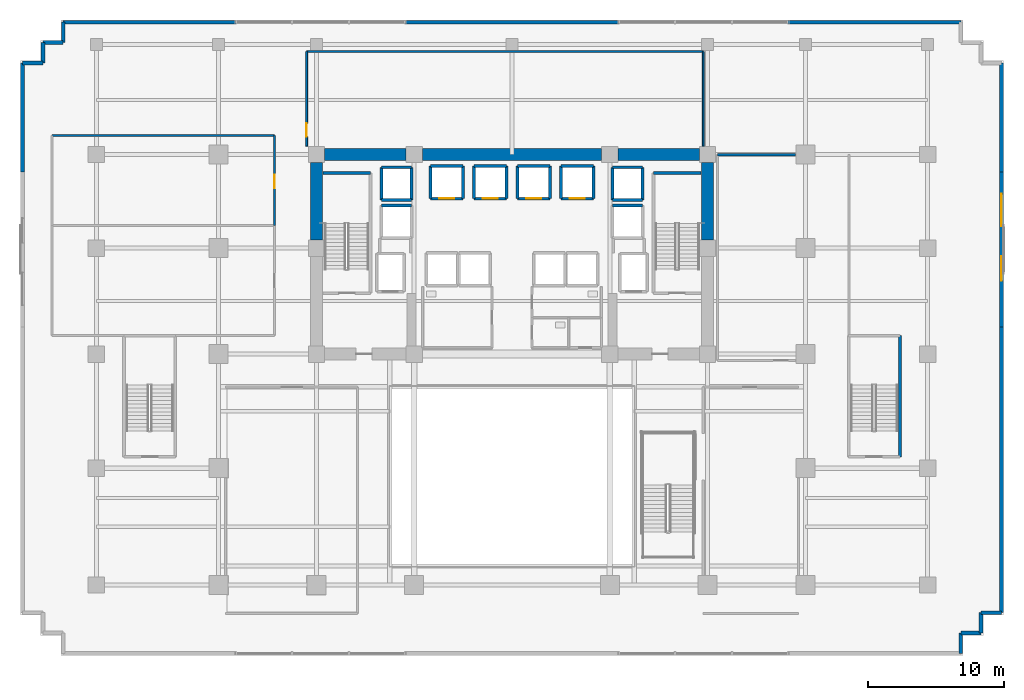
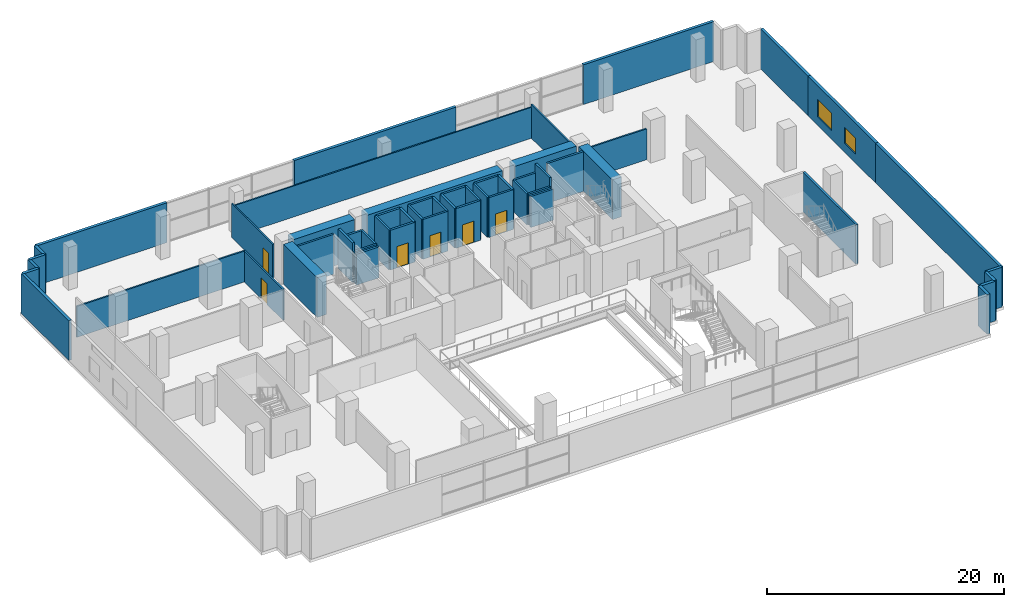
# One storey, part 16 of 21: 55 walls, 6 doors, 2 windows, 8 openings.
"""IFC4 building model written with IfcOpenShell, lengths in metres."""

from ifc_helpers import new_model, si_unit, direction, frame, frame_2d, origin, place, context, subcontext, project, spatial, rectangle, extrude, source, transform, mapped, material, layer, layer_set, type_object, element, fill, save


model = new_model("IFC4")

# Units and contexts
model_context = context("Model", 3, precision=1e-05, world=origin(), true_north=direction((0.0, 1.0)))
body_context = subcontext(model_context, "Body", "Model", "MODEL_VIEW")
ifc_project = project(units=[si_unit("LENGTHUNIT", "METRE"), si_unit("AREAUNIT", "SQUARE_METRE"), si_unit("VOLUMEUNIT", "CUBIC_METRE"), si_unit("PLANEANGLEUNIT", "RADIAN"), si_unit("MASSUNIT", "GRAM", prefix="KILO")], contexts=[model_context])

# Site, building, storey
site_placement = place(None, origin())
site = spatial("IfcSite", under=ifc_project, at=site_placement, CompositionType="ELEMENT")
building_placement = place(site_placement, origin())
building = spatial("IfcBuilding", under=site, at=building_placement, Name="Zarnakvel Exchange Tower", CompositionType="ELEMENT")
storey_placement = place(building_placement, frame((0.0, 0.0, 18.199951171875)))
storey = spatial("IfcBuildingStorey", under=building, at=storey_placement, Name="L04", CompositionType="ELEMENT", Elevation=18.199951171875)

# Walls
ifc_material_1 = material(Name="Concrete C80/95", Category="concrete")
ifc_layer_1 = layer(ifc_material_1, 0.89990234375)
ifc_layer_set_1 = layer_set([ifc_layer_1], Name="Concrete C80/95")
wall_type_1 = type_object("IfcWallType", Name="CW-C1", PredefinedType="SHEAR", material=ifc_layer_set_1)
wall_1_placement = place(storey_placement, frame((-13.800048828125, 13.5, 0.0), z_axis=(0.0, 0.0, 1.0), x_axis=(1.0, 0.0, 0.0)))
element("IfcWall", 1, at=wall_1_placement, inside=storey, type_object=wall_type_1, Name="L04 Rear Core Shear Wall N1 (CW-C1)", PredefinedType="SHEAR", context=body_context, shape_type="SweptSolid", body=[
    extrude(rectangle(XDim=6.0, YDim=0.89990234375, at=frame_2d((3.0, 0.0))), origin(), (0.0, 0.0, 1.0), 4.10009765625),
])
wall_2_placement = place(storey_placement, frame((-6.60009765625, 13.5, 0.0), z_axis=(0.0, 0.0, 1.0), x_axis=(1.0, 0.0, 0.0)))
element("IfcWall", 2, at=wall_2_placement, inside=storey, type_object=wall_type_1, Name="L04 Rear Core Shear Wall N2 (CW-C1)", PredefinedType="SHEAR", context=body_context, shape_type="SweptSolid", body=[
    extrude(rectangle(XDim=13.2001953125, YDim=0.89990234375, at=frame_2d((6.60009765625, 0.0))), origin(), (0.0, 0.0, 1.0), 4.10009765625),
])
wall_3_placement = place(storey_placement, frame((7.800048828125, 13.5, 0.0), z_axis=(0.0, 0.0, 1.0), x_axis=(1.0, 0.0, 0.0)))
element("IfcWall", 3, at=wall_3_placement, inside=storey, type_object=wall_type_1, Name="L04 Rear Core Shear Wall N3 (CW-C1)", PredefinedType="SHEAR", context=body_context, shape_type="SweptSolid", body=[
    extrude(rectangle(XDim=6.0, YDim=0.89990234375, at=frame_2d((3.0, 0.0))), origin(), (0.0, 0.0, 1.0), 4.10009765625),
])
for number, where, z_axis, x_axis, name in (
    (4, (-14.39990234375, 7.199951171875, 0.0), (0.0, 0.0, 1.0), (0.0, 1.0, 0.0), "L04 Rear Core Shear Wall W2 (CW-C1)"),
    (5, (14.39990234375, 7.199951171875, 0.0), (0.0, 0.0, 1.0), (0.0, 1.0, 0.0), "L04 Rear Core Shear Wall E2 (CW-C1)"),
):
    element("IfcWall", number, at=place(storey_placement, frame(where, z_axis=z_axis, x_axis=x_axis)), inside=storey, type_object=wall_type_1, Name=name, PredefinedType="SHEAR", context=body_context, shape_type="SweptSolid", body=[
        extrude(rectangle(XDim=5.699951171875, YDim=0.89990234375, at=frame_2d((2.85009765625, 0.0))), origin(), (0.0, 0.0, 1.0), 4.10009765625),
    ])

# Wall, openings, windows
ifc_material_2 = material(Name="Precast concrete C40/50", Category="concrete")
ifc_layer_2 = layer(ifc_material_2, 0.280029296875)
ifc_layer_set_2 = layer_set([ifc_layer_2], Name="Precast concrete C40/50")
wall_type_2 = type_object("IfcWallType", Name="EW-01", PredefinedType="SOLIDWALL", material=ifc_layer_set_2)
wall_4_placement = place(storey_placement, frame((36.0400390625, 12.199951171875, 0.0), z_axis=(0.0, 0.0, 1.0), x_axis=(0.0, -1.0, 0.0)))
wall_4 = element("IfcWall", 6, at=wall_4_placement, inside=storey, type_object=wall_type_2, Name="L04 Exterior Precast Spandrel Wall EW-L04-EF (EW-01)", PredefinedType="SOLIDWALL", context=body_context, shape_type="SweptSolid", body=[
    extrude(rectangle(XDim=11.39990234375, YDim=0.280029296875, at=frame_2d((5.699951171875, 0.0))), origin(), (0.0, 0.0, 1.0), 4.10009765625),
])
opening_1_placement = place(wall_4_placement, frame((1.60009765625, 0.0, 0.89990234375)))
opening_1 = element("IfcOpeningElement", 7, at=opening_1_placement, cuts=wall_4, Name="Opening WN-01", PredefinedType="OPENING", context=body_context, shape_type="SweptSolid", body=[
    extrude(rectangle(XDim=2.39990234375, YDim=1.800048828125, at=frame_2d((1.199951171875, 0.89990234375))), frame((0.0, 0.14990234375, 0.0), z_axis=(0.0, -1.0, 0.0), x_axis=(1.0, 0.0, 0.0)), (0.0, 0.0, 1.0), 0.300048828125),
])
opening_2_placement = place(wall_4_placement, frame((6.199951171875, 0.0, 0.89990234375)))
opening_2 = element("IfcOpeningElement", 8, at=opening_2_placement, cuts=wall_4, Name="Opening WN-02", PredefinedType="OPENING", context=body_context, shape_type="SweptSolid", body=[
    extrude(rectangle(XDim=1.800048828125, YDim=1.64990234375, at=frame_2d((0.89990234375, 0.824951171875))), frame((0.0, 0.14990234375, 0.0), z_axis=(0.0, -1.0, 0.0), x_axis=(1.0, 0.0, 0.0)), (0.0, 0.0, 1.0), 0.300048828125),
])
ifc_material_3 = material(Name="Double Low-E Laminated Vision Glass", Category="glass")
window_type_1 = type_object("IfcWindowType", Name="WN-01", PartitioningType="SINGLE_PANEL", PredefinedType="WINDOW", material=ifc_material_3)
shared_shape_1 = source(origin(), body_context, "Body", "SweptSolid", [
    extrude(rectangle(XDim=2.39990234375, YDim=1.800048828125, at=frame_2d((1.199951171875, 0.89990234375))), frame((0.0, 0.030029296875, 0.0), z_axis=(0.0, -1.0, 0.0), x_axis=(1.0, 0.0, 0.0)), (0.0, 0.0, 1.0), 0.06005859375),
])
window_1_placement = place(opening_1_placement, origin())
window_1 = element("IfcWindow", 9, at=window_1_placement, inside=storey, type_object=window_type_1, Name="L04 East Flank Window 1", OverallHeight=1.800048828125, OverallWidth=2.39990234375, PartitioningType="SINGLE_PANEL", PredefinedType="WINDOW", context=body_context, shape_type="MappedRepresentation", body=[
    mapped(shared_shape_1, transform((0.0, 0.0, 0.0), x_axis=(1.0, 0.0, 0.0), y_axis=(0.0, 1.0, 0.0), z_axis=(0.0, 0.0, 1.0), scale=1.0)),
])
fill(opening_1, window_1)
window_type_2 = type_object("IfcWindowType", Name="WN-02", PartitioningType="SINGLE_PANEL", PredefinedType="WINDOW", material=ifc_material_3)
shared_shape_2 = source(origin(), body_context, "Body", "SweptSolid", [
    extrude(rectangle(XDim=1.800048828125, YDim=1.64990234375, at=frame_2d((0.89990234375, 0.824951171875))), frame((0.0, 0.030029296875, 0.0), z_axis=(0.0, -1.0, 0.0), x_axis=(1.0, 0.0, 0.0)), (0.0, 0.0, 1.0), 0.06005859375),
])
window_2_placement = place(opening_2_placement, origin())
window_2 = element("IfcWindow", 10, at=window_2_placement, inside=storey, type_object=window_type_2, Name="L04 East Flank Window 2", OverallHeight=1.64990234375, OverallWidth=1.800048828125, PartitioningType="SINGLE_PANEL", PredefinedType="WINDOW", context=body_context, shape_type="MappedRepresentation", body=[
    mapped(shared_shape_2, transform((0.0, 0.0, 0.0), x_axis=(1.0, 0.0, 0.0), y_axis=(0.0, 1.0, 0.0), z_axis=(0.0, 0.0, 1.0), scale=1.0)),
])
fill(opening_2, window_2)

# Walls
wall_5_placement = place(storey_placement, frame((-36.0400390625, 20.239990234375, 0.0), z_axis=(0.0, 0.0, 1.0), x_axis=(0.0, -1.0, 0.0)))
element("IfcWall", 11, at=wall_5_placement, inside=storey, type_object=wall_type_2, Name="L04 Exterior Precast Spandrel Wall EWC-L04-02 (EW-01)", PredefinedType="SOLIDWALL", context=body_context, shape_type="SweptSolid", body=[
    extrude(rectangle(XDim=8.0400390625, YDim=0.280029296875, at=frame_2d((4.02001953125, 0.0))), origin(), (0.0, 0.0, 1.0), 4.10009765625),
])
for number, where, z_axis, x_axis, name in (
    (12, (-34.5400390625, 20.239990234375, 0.0), (0.0, 0.0, 1.0), (-1.0, 0.0, 0.0), "L04 Exterior Precast Spandrel Wall EWC-L04-03 (EW-01)"),
    (13, (-34.5400390625, 21.739990234375, 0.0), (0.0, 0.0, 1.0), (0.0, -1.0, 0.0), "L04 Exterior Precast Spandrel Wall EWC-L04-04 (EW-01)"),
    (14, (-33.0400390625, 21.739990234375, 0.0), (0.0, 0.0, 1.0), (-1.0, 0.0, 0.0), "L04 Exterior Precast Spandrel Wall EWC-L04-05 (EW-01)"),
    (15, (-33.0400390625, 23.239990234375, 0.0), (0.0, 0.0, 1.0), (0.0, -1.0, 0.0), "L04 Exterior Precast Spandrel Wall EWC-L04-06 (EW-01)"),
):
    element("IfcWall", number, at=place(storey_placement, frame(where, z_axis=z_axis, x_axis=x_axis)), inside=storey, type_object=wall_type_2, Name=name, PredefinedType="SOLIDWALL", context=body_context, shape_type="SweptSolid", body=[
        extrude(rectangle(XDim=1.5, YDim=0.280029296875, at=frame_2d((0.75, 0.0))), origin(), (0.0, 0.0, 1.0), 4.10009765625),
    ])
wall_6_placement = place(storey_placement, frame((-20.304931640625, 23.239990234375, 0.0), z_axis=(0.0, 0.0, 1.0), x_axis=(-1.0, 0.0, 0.0)))
element("IfcWall", 16, at=wall_6_placement, inside=storey, type_object=wall_type_2, Name="L04 Exterior Precast Spandrel Wall EWC-L04-07 (EW-01)", PredefinedType="SOLIDWALL", context=body_context, shape_type="SweptSolid", body=[
    extrude(rectangle(XDim=12.735107421875, YDim=0.280029296875, at=frame_2d((6.36767578125, 0.0))), origin(), (0.0, 0.0, 1.0), 4.10009765625),
])
wall_7_placement = place(storey_placement, frame((7.89501953125, 23.239990234375, 0.0), z_axis=(0.0, 0.0, 1.0), x_axis=(-1.0, 0.0, 0.0)))
element("IfcWall", 17, at=wall_7_placement, inside=storey, type_object=wall_type_2, Name="L04 Exterior Precast Spandrel Wall EWC-L04-08 (EW-01)", PredefinedType="SOLIDWALL", context=body_context, shape_type="SweptSolid", body=[
    extrude(rectangle(XDim=15.7900390625, YDim=0.280029296875, at=frame_2d((7.89501953125, 0.0))), origin(), (0.0, 0.0, 1.0), 4.10009765625),
])
wall_8_placement = place(storey_placement, frame((33.0400390625, 23.239990234375, 0.0), z_axis=(0.0, 0.0, 1.0), x_axis=(-1.0, 0.0, 0.0)))
element("IfcWall", 18, at=wall_8_placement, inside=storey, type_object=wall_type_2, Name="L04 Exterior Precast Spandrel Wall EWC-L04-09 (EW-01)", PredefinedType="SOLIDWALL", context=body_context, shape_type="SweptSolid", body=[
    extrude(rectangle(XDim=12.735107421875, YDim=0.280029296875, at=frame_2d((6.36767578125, 0.0))), origin(), (0.0, 0.0, 1.0), 4.10009765625),
])
wall_9_placement = place(storey_placement, frame((36.0400390625, 12.199951171875, 0.0), z_axis=(0.0, 0.0, 1.0), x_axis=(0.0, 1.0, 0.0)))
element("IfcWall", 19, at=wall_9_placement, inside=storey, type_object=wall_type_2, Name="L04 Exterior Precast Spandrel Wall EWC-L04-14 (EW-01)", PredefinedType="SOLIDWALL", context=body_context, shape_type="SweptSolid", body=[
    extrude(rectangle(XDim=8.0400390625, YDim=0.280029296875, at=frame_2d((4.02001953125, 0.0))), origin(), (0.0, 0.0, 1.0), 4.10009765625),
])
wall_10_placement = place(storey_placement, frame((36.0400390625, -20.239990234375, 0.0), z_axis=(0.0, 0.0, 1.0), x_axis=(0.0, 1.0, 0.0)))
element("IfcWall", 20, at=wall_10_placement, inside=storey, type_object=wall_type_2, Name="L04 Exterior Precast Spandrel Wall EWC-L04-15 (EW-01)", PredefinedType="SOLIDWALL", context=body_context, shape_type="SweptSolid", body=[
    extrude(rectangle(XDim=21.0400390625, YDim=0.280029296875, at=frame_2d((10.52001953125, 0.0))), origin(), (0.0, 0.0, 1.0), 4.10009765625),
])
for number, where, z_axis, x_axis, name in (
    (21, (34.5400390625, -20.239990234375, 0.0), (0.0, 0.0, 1.0), (1.0, 0.0, 0.0), "L04 Exterior Precast Spandrel Wall EWC-L04-16 (EW-01)"),
    (22, (34.5400390625, -21.739990234375, 0.0), (0.0, 0.0, 1.0), (0.0, 1.0, 0.0), "L04 Exterior Precast Spandrel Wall EWC-L04-17 (EW-01)"),
    (23, (33.0400390625, -21.739990234375, 0.0), (0.0, 0.0, 1.0), (1.0, 0.0, 0.0), "L04 Exterior Precast Spandrel Wall EWC-L04-18 (EW-01)"),
    (24, (33.0400390625, -23.239990234375, 0.0), (0.0, 0.0, 1.0), (0.0, 1.0, 0.0), "L04 Exterior Precast Spandrel Wall EWC-L04-19 (EW-01)"),
):
    element("IfcWall", number, at=place(storey_placement, frame(where, z_axis=z_axis, x_axis=x_axis)), inside=storey, type_object=wall_type_2, Name=name, PredefinedType="SOLIDWALL", context=body_context, shape_type="SweptSolid", body=[
        extrude(rectangle(XDim=1.5, YDim=0.280029296875, at=frame_2d((0.75, 0.0))), origin(), (0.0, 0.0, 1.0), 4.10009765625),
    ])
ifc_material_4 = material(Name="Fire-Rated Gypsum Stud Partition", Category="gypsum")
ifc_layer_3 = layer(ifc_material_4, 0.14990234375)
ifc_layer_set_3 = layer_set([ifc_layer_3], Name="Fire-Rated Gypsum Stud Partition")
wall_type_3 = type_object("IfcWallType", Name="PT-01", PredefinedType="PARTITIONING", material=ifc_layer_set_3)
wall_11_placement = place(storey_placement, frame((-33.8798828125, 14.8798828125, 0.0), z_axis=(0.0, 0.0, 1.0), x_axis=(1.0, 0.0, 0.0)))
element("IfcWall", 25, at=wall_11_placement, inside=storey, type_object=wall_type_3, Name="L04 Partition Wall PWALL-L04-044 (PT-01)", PredefinedType="PARTITIONING", context=body_context, shape_type="SweptSolid", body=[
    extrude(rectangle(XDim=16.39990234375, YDim=0.14990234375, at=frame_2d((8.199951171875, 0.0))), origin(), (0.0, 0.0, 1.0), 3.18994140625),
])

# Wall, opening, door
wall_12_placement = place(storey_placement, frame((-17.47998046875, 14.8798828125, 0.0), z_axis=(0.0, 0.0, 1.0), x_axis=(0.0, -1.0, 0.0)))
wall_12 = element("IfcWall", 26, at=wall_12_placement, inside=storey, type_object=wall_type_3, Name="L04 Partition Wall PWALL-L04-046 (PT-01)", PredefinedType="PARTITIONING", context=body_context, shape_type="SweptSolid", body=[
    extrude(rectangle(XDim=6.599853515625, YDim=0.14990234375, at=frame_2d((3.2998046875, 0.0))), origin(), (0.0, 0.0, 1.0), 3.18994140625),
])
opening_3_placement = place(wall_12_placement, frame((2.889892578125, 0.0, 0.0)))
opening_3 = element("IfcOpeningElement", 27, at=opening_3_placement, cuts=wall_12, Name="Opening D-L04-14", PredefinedType="OPENING", context=body_context, shape_type="SweptSolid", body=[
    extrude(rectangle(XDim=0.97998046875, YDim=2.14990234375, at=frame_2d((0.489990234375, 1.074951171875))), frame((0.0, 0.0849609375, 0.0), z_axis=(0.0, -1.0, 0.0), x_axis=(1.0, 0.0, 0.0)), (0.0, 0.0, 1.0), 0.169921875),
])
ifc_material_5 = material(Name="Timber Acoustic Veneer", Category="wood")
door_type_1 = type_object("IfcDoorType", Name="DT-05", OperationType="NOTDEFINED", PredefinedType="DOOR", material=ifc_material_5)
shared_shape_3 = source(origin(), body_context, "Body", "SweptSolid", [
    extrude(rectangle(XDim=0.97998046875, YDim=2.14990234375, at=frame_2d((0.489990234375, 1.074951171875))), frame((0.0, 0.02490234375, 0.0), z_axis=(0.0, -1.0, 0.0), x_axis=(1.0, 0.0, 0.0)), (0.0, 0.0, 1.0), 0.050048828125),
])
door_1_placement = place(opening_3_placement, origin())
door_1 = element("IfcDoor", 28, at=door_1_placement, inside=storey, type_object=door_type_1, Name="L04 Risk Margining Office Door D-L04-14", OperationType="SINGLE_SWING_LEFT", OverallHeight=2.14990234375, OverallWidth=0.97998046875, PredefinedType="DOOR", context=body_context, shape_type="MappedRepresentation", body=[
    mapped(shared_shape_3, transform((0.0, 0.0, 0.0), x_axis=(1.0, 0.0, 0.0), y_axis=(0.0, 1.0, 0.0), z_axis=(0.0, 0.0, 1.0), scale=1.0)),
])
fill(opening_3, door_1)

# Walls
wall_13_placement = place(storey_placement, frame((15.1201171875, 13.47998046875, 0.0), z_axis=(0.0, 0.0, 1.0), x_axis=(1.0, 0.0, 0.0)))
element("IfcWall", 29, at=wall_13_placement, inside=storey, type_object=wall_type_3, Name="L04 Partition Wall PWALL-L04-048 (PT-01)", PredefinedType="PARTITIONING", context=body_context, shape_type="SweptSolid", body=[
    extrude(rectangle(XDim=5.759765625, YDim=0.14990234375, at=frame_2d((2.8798828125, 0.0))), origin(), (0.0, 0.0, 1.0), 3.18994140625),
])
ifc_material_6 = material(Name="Moisture-Resistant Tile-Faced Partition", Category="gypsum")
ifc_layer_4 = layer(ifc_material_6, 0.135009765625)
ifc_layer_set_4 = layer_set([ifc_layer_4], Name="Moisture-Resistant Tile-Faced Partition")
wall_type_4 = type_object("IfcWallType", Name="PT-03", PredefinedType="PARTITIONING", material=ifc_layer_set_4)
wall_14_placement = place(storey_placement, frame((-15.1201171875, 21.080078125, 0.0), z_axis=(0.0, 0.0, 1.0), x_axis=(1.0, 0.0, 0.0)))
element("IfcWall", 30, at=wall_14_placement, inside=storey, type_object=wall_type_4, Name="L04 Partition Wall PWALL-L04-051 (PT-03)", PredefinedType="PARTITIONING", context=body_context, shape_type="SweptSolid", body=[
    extrude(rectangle(XDim=29.2001953125, YDim=0.135009765625, at=frame_2d((14.60009765625, 0.0))), origin(), (0.0, 0.0, 1.0), 3.18994140625),
])

# Wall, opening, door
wall_15_placement = place(storey_placement, frame((-15.1201171875, 14.1201171875, 0.0), z_axis=(0.0, 0.0, 1.0), x_axis=(0.0, 1.0, 0.0)))
wall_15 = element("IfcWall", 31, at=wall_15_placement, inside=storey, type_object=wall_type_4, Name="L04 Partition Wall PWALL-L04-052 (PT-03)", PredefinedType="PARTITIONING", context=body_context, shape_type="SweptSolid", body=[
    extrude(rectangle(XDim=6.9599609375, YDim=0.135009765625, at=frame_2d((3.47998046875, 0.0))), origin(), (0.0, 0.0, 1.0), 3.472900390625),
])
opening_4_placement = place(wall_15_placement, frame((0.68994140625, 0.0, 0.0)))
opening_4 = element("IfcOpeningElement", 32, at=opening_4_placement, cuts=wall_15, Name="Opening D-L04-16", PredefinedType="OPENING", context=body_context, shape_type="SweptSolid", body=[
    extrude(rectangle(XDim=0.97998046875, YDim=2.14990234375, at=frame_2d((0.489990234375, 1.074951171875))), frame((0.0, 0.077392578125, 0.0), z_axis=(0.0, -1.0, 0.0), x_axis=(1.0, 0.0, 0.0)), (0.0, 0.0, 1.0), 0.155029296875),
])
door_2_placement = place(opening_4_placement, origin())
door_2 = element("IfcDoor", 33, at=door_2_placement, inside=storey, type_object=door_type_1, Name="L04 Commercial Catering Pantry Door D-L04-16", OperationType="SINGLE_SWING_LEFT", OverallHeight=2.14990234375, OverallWidth=0.97998046875, PredefinedType="DOOR", context=body_context, shape_type="MappedRepresentation", body=[
    mapped(shared_shape_3, transform((0.0, 0.0, 0.0), x_axis=(1.0, 0.0, 0.0), y_axis=(0.0, 1.0, 0.0), z_axis=(0.0, 0.0, 1.0), scale=1.0)),
])
fill(opening_4, door_2)

# Wall
wall_16_placement = place(storey_placement, frame((14.080078125, 21.080078125, 0.0), z_axis=(0.0, 0.0, 1.0), x_axis=(0.0, -1.0, 0.0)))
element("IfcWall", 34, at=wall_16_placement, inside=storey, type_object=wall_type_4, Name="L04 Partition Wall PWALL-L04-053 (PT-03)", PredefinedType="PARTITIONING", context=body_context, shape_type="SweptSolid", body=[
    extrude(rectangle(XDim=6.9599609375, YDim=0.135009765625, at=frame_2d((3.47998046875, 0.0))), origin(), (0.0, 0.0, 1.0), 3.472900390625),
])

# Wall, opening, door
ifc_material_7 = material(Name="Concrete C40/50", Category="concrete")
ifc_layer_5 = layer(ifc_material_7, 0.199951171875)
ifc_layer_set_5 = layer_set([ifc_layer_5], Name="Concrete C40/50")
wall_type_5 = type_object("IfcWallType", Name="SW-01", PredefinedType="SOLIDWALL", material=ifc_layer_set_5)
wall_17_placement = place(storey_placement, frame((-3.60009765625, 10.25, 0.0), z_axis=(0.0, 0.0, 1.0), x_axis=(-1.0, 0.0, 0.0)))
wall_17 = element("IfcWall", 35, at=wall_17_placement, inside=storey, type_object=wall_type_5, Name="L04 PL-01 Hoistway Wall South", PredefinedType="SOLIDWALL", context=body_context, shape_type="SweptSolid", body=[
    extrude(rectangle(XDim=2.39990234375, YDim=0.199951171875, at=frame_2d((1.199951171875, 0.0))), origin(), (0.0, 0.0, 1.0), 4.10009765625),
])
opening_5_placement = place(wall_17_placement, frame((0.64990234375, 0.0, 0.0)))
opening_5 = element("IfcOpeningElement", 36, at=opening_5_placement, cuts=wall_17, Name="Opening LD-PL-01-L04", PredefinedType="OPENING", context=body_context, shape_type="SweptSolid", body=[
    extrude(rectangle(XDim=1.10009765625, YDim=2.199951171875, at=frame_2d((0.550048828125, 1.10009765625))), frame((0.0, 0.10986328125, 0.0), z_axis=(0.0, -1.0, 0.0), x_axis=(1.0, 0.0, 0.0)), (0.0, 0.0, 1.0), 0.219970703125),
])
ifc_material_8 = material(Name="Architectural Bronze Anodised Aluminium", Category="aluminium")
door_type_2 = type_object("IfcDoorType", Name="LDT-02", OperationType="NOTDEFINED", PredefinedType="DOOR", material=ifc_material_8)
shared_shape_4 = source(origin(), body_context, "Body", "SweptSolid", [
    extrude(rectangle(XDim=1.10009765625, YDim=2.199951171875, at=frame_2d((0.550048828125, 1.10009765625))), frame((0.0, 0.02490234375, 0.0), z_axis=(0.0, -1.0, 0.0), x_axis=(1.0, 0.0, 0.0)), (0.0, 0.0, 1.0), 0.050048828125),
])
door_3_placement = place(opening_5_placement, origin())
door_3 = element("IfcDoor", 37, at=door_3_placement, inside=storey, type_object=door_type_2, Name="L04 PL-01 Lift Landing Door LD-PL-01-L04", OperationType="DOUBLE_DOOR_SLIDING", OverallHeight=2.199951171875, OverallWidth=1.10009765625, PredefinedType="DOOR", context=body_context, shape_type="MappedRepresentation", body=[
    mapped(shared_shape_4, transform((0.0, 0.0, 0.0), x_axis=(1.0, 0.0, 0.0), y_axis=(0.0, 1.0, 0.0), z_axis=(0.0, 0.0, 1.0), scale=1.0)),
])
fill(opening_5, door_3)

# Walls
for number, where, z_axis, x_axis, name in (
    (38, (-6.0, 12.64990234375, 0.0), (0.0, 0.0, 1.0), (1.0, 0.0, 0.0), "L04 PL-01 Hoistway Wall North"),
    (39, (-6.0, 10.25, 0.0), (0.0, 0.0, 1.0), (0.0, 1.0, 0.0), "L04 PL-01 Hoistway Wall West"),
    (40, (-3.60009765625, 12.64990234375, 0.0), (0.0, 0.0, 1.0), (0.0, -1.0, 0.0), "L04 PL-01 Hoistway Wall East"),
):
    element("IfcWall", number, at=place(storey_placement, frame(where, z_axis=z_axis, x_axis=x_axis)), inside=storey, type_object=wall_type_5, Name=name, PredefinedType="SOLIDWALL", context=body_context, shape_type="SweptSolid", body=[
        extrude(rectangle(XDim=2.39990234375, YDim=0.199951171875, at=frame_2d((1.199951171875, 0.0))), origin(), (0.0, 0.0, 1.0), 4.10009765625),
    ])

# Wall, opening, door
wall_18_placement = place(storey_placement, frame((-0.39990234375, 10.25, 0.0), z_axis=(0.0, 0.0, 1.0), x_axis=(-1.0, 0.0, 0.0)))
wall_18 = element("IfcWall", 41, at=wall_18_placement, inside=storey, type_object=wall_type_5, Name="L04 PL-02 Hoistway Wall South", PredefinedType="SOLIDWALL", context=body_context, shape_type="SweptSolid", body=[
    extrude(rectangle(XDim=2.400146484375, YDim=0.199951171875, at=frame_2d((1.2001953125, 0.0))), origin(), (0.0, 0.0, 1.0), 4.10009765625),
])
opening_6_placement = place(wall_18_placement, frame((0.64990234375, 0.0, 0.0)))
opening_6 = element("IfcOpeningElement", 42, at=opening_6_placement, cuts=wall_18, Name="Opening LD-PL-02-L04", PredefinedType="OPENING", context=body_context, shape_type="SweptSolid", body=[
    extrude(rectangle(XDim=1.10009765625, YDim=2.199951171875, at=frame_2d((0.550048828125, 1.10009765625))), frame((0.0, 0.10986328125, 0.0), z_axis=(0.0, -1.0, 0.0), x_axis=(1.0, 0.0, 0.0)), (0.0, 0.0, 1.0), 0.219970703125),
])
door_4_placement = place(opening_6_placement, origin())
door_4 = element("IfcDoor", 43, at=door_4_placement, inside=storey, type_object=door_type_2, Name="L04 PL-02 Lift Landing Door LD-PL-02-L04", OperationType="DOUBLE_DOOR_SLIDING", OverallHeight=2.199951171875, OverallWidth=1.10009765625, PredefinedType="DOOR", context=body_context, shape_type="MappedRepresentation", body=[
    mapped(shared_shape_4, transform((0.0, 0.0, 0.0), x_axis=(1.0, 0.0, 0.0), y_axis=(0.0, 1.0, 0.0), z_axis=(0.0, 0.0, 1.0), scale=1.0)),
])
fill(opening_6, door_4)

# Walls
wall_19_placement = place(storey_placement, frame((-2.800048828125, 12.64990234375, 0.0), z_axis=(0.0, 0.0, 1.0), x_axis=(1.0, 0.0, 0.0)))
element("IfcWall", 44, at=wall_19_placement, inside=storey, type_object=wall_type_5, Name="L04 PL-02 Hoistway Wall North", PredefinedType="SOLIDWALL", context=body_context, shape_type="SweptSolid", body=[
    extrude(rectangle(XDim=2.400146484375, YDim=0.199951171875, at=frame_2d((1.2001953125, 0.0))), origin(), (0.0, 0.0, 1.0), 4.10009765625),
])
for number, where, z_axis, x_axis, name in (
    (45, (-2.800048828125, 10.25, 0.0), (0.0, 0.0, 1.0), (0.0, 1.0, 0.0), "L04 PL-02 Hoistway Wall West"),
    (46, (-0.39990234375, 12.64990234375, 0.0), (0.0, 0.0, 1.0), (0.0, -1.0, 0.0), "L04 PL-02 Hoistway Wall East"),
):
    element("IfcWall", number, at=place(storey_placement, frame(where, z_axis=z_axis, x_axis=x_axis)), inside=storey, type_object=wall_type_5, Name=name, PredefinedType="SOLIDWALL", context=body_context, shape_type="SweptSolid", body=[
        extrude(rectangle(XDim=2.39990234375, YDim=0.199951171875, at=frame_2d((1.199951171875, 0.0))), origin(), (0.0, 0.0, 1.0), 4.10009765625),
    ])

# Wall, opening, door
wall_20_placement = place(storey_placement, frame((2.800048828125, 10.25, 0.0), z_axis=(0.0, 0.0, 1.0), x_axis=(-1.0, 0.0, 0.0)))
wall_20 = element("IfcWall", 47, at=wall_20_placement, inside=storey, type_object=wall_type_5, Name="L04 PL-03 Hoistway Wall South", PredefinedType="SOLIDWALL", context=body_context, shape_type="SweptSolid", body=[
    extrude(rectangle(XDim=2.400146484375, YDim=0.199951171875, at=frame_2d((1.2001953125, 0.0))), origin(), (0.0, 0.0, 1.0), 4.10009765625),
])
opening_7_placement = place(wall_20_placement, frame((0.64990234375, 0.0, 0.0)))
opening_7 = element("IfcOpeningElement", 48, at=opening_7_placement, cuts=wall_20, Name="Opening LD-PL-03-L04", PredefinedType="OPENING", context=body_context, shape_type="SweptSolid", body=[
    extrude(rectangle(XDim=1.10009765625, YDim=2.199951171875, at=frame_2d((0.550048828125, 1.10009765625))), frame((0.0, 0.10986328125, 0.0), z_axis=(0.0, -1.0, 0.0), x_axis=(1.0, 0.0, 0.0)), (0.0, 0.0, 1.0), 0.219970703125),
])
door_5_placement = place(opening_7_placement, origin())
door_5 = element("IfcDoor", 49, at=door_5_placement, inside=storey, type_object=door_type_2, Name="L04 PL-03 Lift Landing Door LD-PL-03-L04", OperationType="DOUBLE_DOOR_SLIDING", OverallHeight=2.199951171875, OverallWidth=1.10009765625, PredefinedType="DOOR", context=body_context, shape_type="MappedRepresentation", body=[
    mapped(shared_shape_4, transform((0.0, 0.0, 0.0), x_axis=(1.0, 0.0, 0.0), y_axis=(0.0, 1.0, 0.0), z_axis=(0.0, 0.0, 1.0), scale=1.0)),
])
fill(opening_7, door_5)

# Walls
wall_21_placement = place(storey_placement, frame((0.39990234375, 12.64990234375, 0.0), z_axis=(0.0, 0.0, 1.0), x_axis=(1.0, 0.0, 0.0)))
element("IfcWall", 50, at=wall_21_placement, inside=storey, type_object=wall_type_5, Name="L04 PL-03 Hoistway Wall North", PredefinedType="SOLIDWALL", context=body_context, shape_type="SweptSolid", body=[
    extrude(rectangle(XDim=2.400146484375, YDim=0.199951171875, at=frame_2d((1.2001953125, 0.0))), origin(), (0.0, 0.0, 1.0), 4.10009765625),
])
for number, where, z_axis, x_axis, name in (
    (51, (0.39990234375, 10.25, 0.0), (0.0, 0.0, 1.0), (0.0, 1.0, 0.0), "L04 PL-03 Hoistway Wall West"),
    (52, (2.800048828125, 12.64990234375, 0.0), (0.0, 0.0, 1.0), (0.0, -1.0, 0.0), "L04 PL-03 Hoistway Wall East"),
):
    element("IfcWall", number, at=place(storey_placement, frame(where, z_axis=z_axis, x_axis=x_axis)), inside=storey, type_object=wall_type_5, Name=name, PredefinedType="SOLIDWALL", context=body_context, shape_type="SweptSolid", body=[
        extrude(rectangle(XDim=2.39990234375, YDim=0.199951171875, at=frame_2d((1.199951171875, 0.0))), origin(), (0.0, 0.0, 1.0), 4.10009765625),
    ])

# Wall, opening, door
wall_22_placement = place(storey_placement, frame((6.0, 10.25, 0.0), z_axis=(0.0, 0.0, 1.0), x_axis=(-1.0, 0.0, 0.0)))
wall_22 = element("IfcWall", 53, at=wall_22_placement, inside=storey, type_object=wall_type_5, Name="L04 PL-04 Hoistway Wall South", PredefinedType="SOLIDWALL", context=body_context, shape_type="SweptSolid", body=[
    extrude(rectangle(XDim=2.39990234375, YDim=0.199951171875, at=frame_2d((1.199951171875, 0.0))), origin(), (0.0, 0.0, 1.0), 4.10009765625),
])
opening_8_placement = place(wall_22_placement, frame((0.64990234375, 0.0, 0.0)))
opening_8 = element("IfcOpeningElement", 54, at=opening_8_placement, cuts=wall_22, Name="Opening LD-PL-04-L04", PredefinedType="OPENING", context=body_context, shape_type="SweptSolid", body=[
    extrude(rectangle(XDim=1.10009765625, YDim=2.199951171875, at=frame_2d((0.550048828125, 1.10009765625))), frame((0.0, 0.10986328125, 0.0), z_axis=(0.0, -1.0, 0.0), x_axis=(1.0, 0.0, 0.0)), (0.0, 0.0, 1.0), 0.219970703125),
])
door_6_placement = place(opening_8_placement, origin())
door_6 = element("IfcDoor", 55, at=door_6_placement, inside=storey, type_object=door_type_2, Name="L04 PL-04 Lift Landing Door LD-PL-04-L04", OperationType="DOUBLE_DOOR_SLIDING", OverallHeight=2.199951171875, OverallWidth=1.10009765625, PredefinedType="DOOR", context=body_context, shape_type="MappedRepresentation", body=[
    mapped(shared_shape_4, transform((0.0, 0.0, 0.0), x_axis=(1.0, 0.0, 0.0), y_axis=(0.0, 1.0, 0.0), z_axis=(0.0, 0.0, 1.0), scale=1.0)),
])
fill(opening_8, door_6)

# Walls
for number, where, z_axis, x_axis, name in (
    (56, (3.60009765625, 12.64990234375, 0.0), (0.0, 0.0, 1.0), (1.0, 0.0, 0.0), "L04 PL-04 Hoistway Wall North"),
    (57, (3.60009765625, 10.25, 0.0), (0.0, 0.0, 1.0), (0.0, 1.0, 0.0), "L04 PL-04 Hoistway Wall West"),
    (58, (6.0, 12.64990234375, 0.0), (0.0, 0.0, 1.0), (0.0, -1.0, 0.0), "L04 PL-04 Hoistway Wall East"),
):
    element("IfcWall", number, at=place(storey_placement, frame(where, z_axis=z_axis, x_axis=x_axis)), inside=storey, type_object=wall_type_5, Name=name, PredefinedType="SOLIDWALL", context=body_context, shape_type="SweptSolid", body=[
        extrude(rectangle(XDim=2.39990234375, YDim=0.199951171875, at=frame_2d((1.199951171875, 0.0))), origin(), (0.0, 0.0, 1.0), 4.10009765625),
    ])
for number, where, z_axis, x_axis, name in (
    (59, (-9.60009765625, 9.75, 0.0), (0.0, 0.0, 1.0), (1.0, 0.0, 0.0), "L04 PL-09 Hoistway Wall North"),
    (60, (-7.39990234375, 10.14990234375, 0.0), (0.0, 0.0, 1.0), (-1.0, 0.0, 0.0), "L04 PL-10 Hoistway Wall South"),
    (61, (-9.60009765625, 12.550048828125, 0.0), (0.0, 0.0, 1.0), (1.0, 0.0, 0.0), "L04 PL-10 Hoistway Wall North"),
):
    element("IfcWall", number, at=place(storey_placement, frame(where, z_axis=z_axis, x_axis=x_axis)), inside=storey, type_object=wall_type_5, Name=name, PredefinedType="SOLIDWALL", context=body_context, shape_type="SweptSolid", body=[
        extrude(rectangle(XDim=2.2001953125, YDim=0.199951171875, at=frame_2d((1.10009765625, 0.0))), origin(), (0.0, 0.0, 1.0), 3.18994140625),
    ])
wall_23_placement = place(storey_placement, frame((-9.60009765625, 10.14990234375, 0.0), z_axis=(0.0, 0.0, 1.0), x_axis=(0.0, 1.0, 0.0)))
element("IfcWall", 62, at=wall_23_placement, inside=storey, type_object=wall_type_5, Name="L04 PL-10 Hoistway Wall West", PredefinedType="SOLIDWALL", context=body_context, shape_type="SweptSolid", body=[
    extrude(rectangle(XDim=2.400146484375, YDim=0.199951171875, at=frame_2d((1.2001953125, 0.0))), origin(), (0.0, 0.0, 1.0), 4.10009765625),
])
wall_24_placement = place(storey_placement, frame((-7.39990234375, 12.550048828125, 0.0), z_axis=(0.0, 0.0, 1.0), x_axis=(0.0, -1.0, 0.0)))
element("IfcWall", 63, at=wall_24_placement, inside=storey, type_object=wall_type_5, Name="L04 PL-10 Hoistway Wall East", PredefinedType="SOLIDWALL", context=body_context, shape_type="SweptSolid", body=[
    extrude(rectangle(XDim=2.400146484375, YDim=0.199951171875, at=frame_2d((1.2001953125, 0.0))), origin(), (0.0, 0.0, 1.0), 3.18994140625),
])
for number, where, z_axis, x_axis, name in (
    (64, (7.39990234375, 9.75, 0.0), (0.0, 0.0, 1.0), (1.0, 0.0, 0.0), "L04 PL-11 Hoistway Wall North"),
    (65, (9.60009765625, 10.14990234375, 0.0), (0.0, 0.0, 1.0), (-1.0, 0.0, 0.0), "L04 PL-12 Hoistway Wall South"),
    (66, (7.39990234375, 12.550048828125, 0.0), (0.0, 0.0, 1.0), (1.0, 0.0, 0.0), "L04 PL-12 Hoistway Wall North"),
):
    element("IfcWall", number, at=place(storey_placement, frame(where, z_axis=z_axis, x_axis=x_axis)), inside=storey, type_object=wall_type_5, Name=name, PredefinedType="SOLIDWALL", context=body_context, shape_type="SweptSolid", body=[
        extrude(rectangle(XDim=2.2001953125, YDim=0.199951171875, at=frame_2d((1.10009765625, 0.0))), origin(), (0.0, 0.0, 1.0), 3.18994140625),
    ])
wall_25_placement = place(storey_placement, frame((7.39990234375, 10.14990234375, 0.0), z_axis=(0.0, 0.0, 1.0), x_axis=(0.0, 1.0, 0.0)))
element("IfcWall", 67, at=wall_25_placement, inside=storey, type_object=wall_type_5, Name="L04 PL-12 Hoistway Wall West", PredefinedType="SOLIDWALL", context=body_context, shape_type="SweptSolid", body=[
    extrude(rectangle(XDim=2.400146484375, YDim=0.199951171875, at=frame_2d((1.2001953125, 0.0))), origin(), (0.0, 0.0, 1.0), 3.18994140625),
])
wall_26_placement = place(storey_placement, frame((9.60009765625, 12.550048828125, 0.0), z_axis=(0.0, 0.0, 1.0), x_axis=(0.0, -1.0, 0.0)))
element("IfcWall", 68, at=wall_26_placement, inside=storey, type_object=wall_type_5, Name="L04 PL-12 Hoistway Wall East", PredefinedType="SOLIDWALL", context=body_context, shape_type="SweptSolid", body=[
    extrude(rectangle(XDim=2.400146484375, YDim=0.199951171875, at=frame_2d((1.2001953125, 0.0))), origin(), (0.0, 0.0, 1.0), 4.10009765625),
])
ifc_layer_6 = layer(ifc_material_7, 0.199951171875)
ifc_layer_set_6 = layer_set([ifc_layer_6], Name="Concrete C40/50")
wall_type_6 = type_object("IfcWallType", Name="SW-02", PredefinedType="SOLIDWALL", material=ifc_layer_set_6)
for number, where, z_axis, x_axis, name in (
    (69, (-13.929931640625, 12.1298828125, 0.0), (0.0, 0.0, 1.0), (1.0, 0.0, 0.0), "L04 Stairwell Core Wall PWALL-L04-002 (SW-02)"),
    (70, (10.409912109375, 12.1298828125, 0.0), (0.0, 0.0, 1.0), (1.0, 0.0, 0.0), "L04 Stairwell Core Wall PWALL-L04-005 (SW-02)"),
):
    element("IfcWall", number, at=place(storey_placement, frame(where, z_axis=z_axis, x_axis=x_axis)), inside=storey, type_object=wall_type_6, Name=name, PredefinedType="SOLIDWALL", context=body_context, shape_type="SweptSolid", body=[
        extrude(rectangle(XDim=3.52001953125, YDim=0.199951171875, at=frame_2d((1.760009765625, 0.0))), origin(), (0.0, 0.0, 1.0), 4.10009765625),
    ])
wall_27_placement = place(storey_placement, frame((28.56005859375, 0.159912109375, 0.0), z_axis=(0.0, 0.0, 1.0), x_axis=(0.0, -1.0, 0.0)))
element("IfcWall", 71, at=wall_27_placement, inside=storey, type_object=wall_type_6, Name="L04 Stairwell Core Wall PWALL-L04-029 (SW-02)", PredefinedType="SOLIDWALL", context=body_context, shape_type="SweptSolid", body=[
    extrude(rectangle(XDim=8.919921875, YDim=0.199951171875, at=frame_2d((4.4599609375, 0.0))), origin(), (0.0, 0.0, 1.0), 4.10009765625),
])

save(model, "model.ifc")
